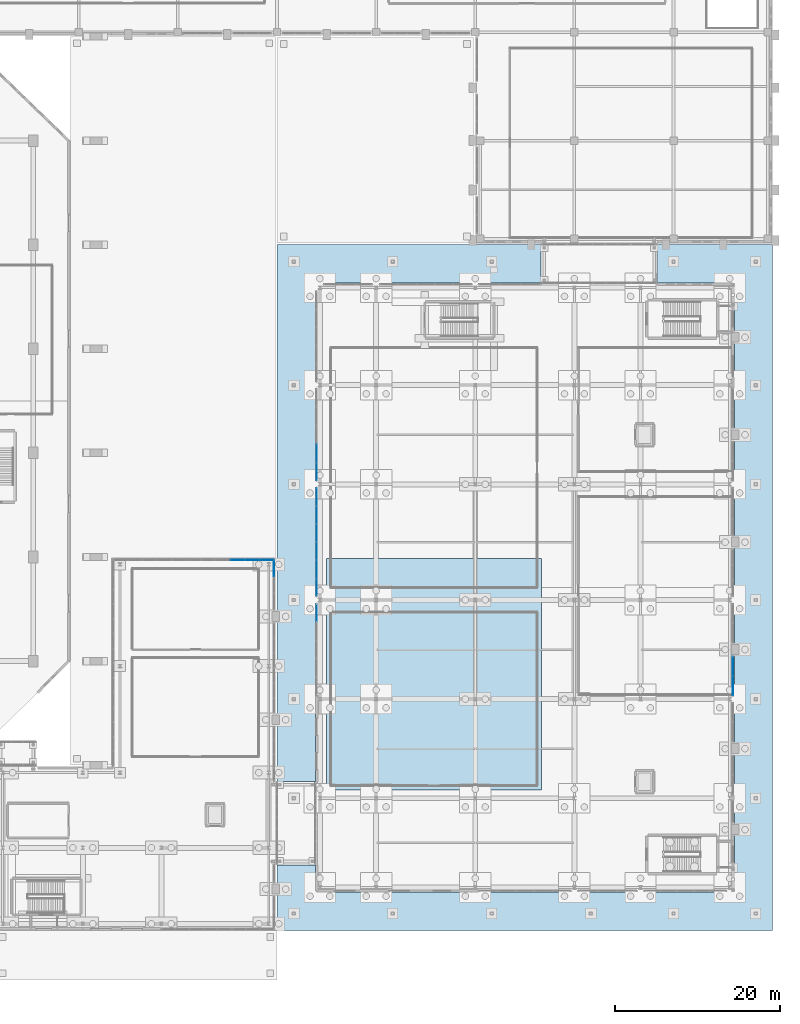
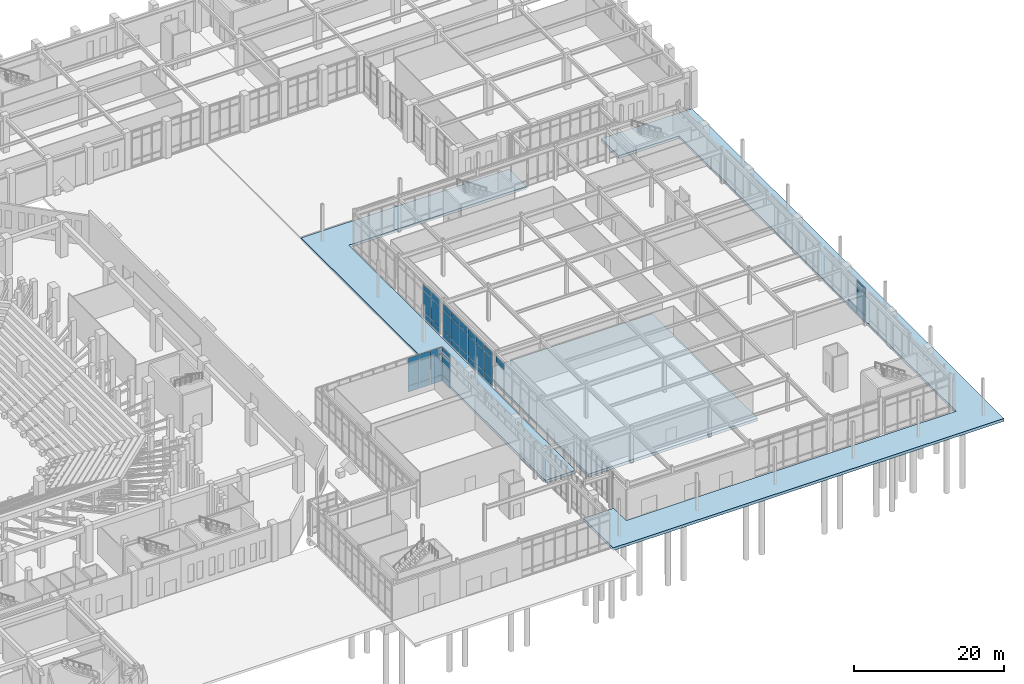
# One storey, part 91 of 143: 41 plates, 3 slabs, 6 elements without a shape of their own.
"""IFC4 building model written with IfcOpenShell, lengths in metres."""

from ifc_helpers import new_model, si_unit, derived_unit, direction, frame, origin, origin_2d, place, context, subcontext, project, spatial, polyline, rectangle, outline, extrude, material, layer, layer_set, type_object, element, aggregate, save


model = new_model("IFC4")

# Units and contexts
model_context = context("Model", 3, precision=1e-05, world=origin(), true_north=direction((0.0, 1.0)))
body_context = subcontext(model_context, "Body", "Model", "MODEL_VIEW")
ifc_project = project(units=[si_unit("LENGTHUNIT", "METRE"), si_unit("AREAUNIT", "SQUARE_METRE"), si_unit("VOLUMEUNIT", "CUBIC_METRE"), si_unit("PLANEANGLEUNIT", "RADIAN"), si_unit("MASSUNIT", "GRAM", prefix="KILO"), derived_unit("THERMALTRANSMITTANCEUNIT", [(si_unit("MASSUNIT", "GRAM", prefix="KILO"), 1), (si_unit("TIMEUNIT", "SECOND"), -3), (si_unit("THERMODYNAMICTEMPERATUREUNIT", "KELVIN"), -1)])], contexts=[model_context])

# Site, building, storey
site_placement = place(None, origin())
site = spatial("IfcSite", under=ifc_project, at=site_placement, CompositionType="ELEMENT")
building_placement = place(site_placement, origin())
building = spatial("IfcBuilding", under=site, at=building_placement, Name="Valcora Ridge Arena", CompositionType="ELEMENT")
storey_placement = place(building_placement, origin())
storey = spatial("IfcBuildingStorey", under=building, at=storey_placement, Name="L00", CompositionType="ELEMENT", Elevation=0.0)

# Curtain wall, plates
ifc_material_1 = material(Name="Anodised dark bronze architectural aluminium 6063-T6", Category="aluminium")
ifc_layer_1 = layer(ifc_material_1, 0.179931640625, Name="Anodised dark bronze architectural aluminium 6063-T6")
ifc_layer_set_1 = layer_set([ifc_layer_1], Name="Anodised dark bronze architectural aluminium 6063-T6")
curtain_wall_type_1 = type_object("IfcCurtainWallType", Name="TY-CURTAINWALL-CW-V3-LANCET-194X56", PredefinedType="NOTDEFINED", material=ifc_layer_set_1)
curtain_wall_1_placement = place(storey_placement, origin())
curtain_wall_1 = element("IfcCurtainWall", 1, at=curtain_wall_1_placement, inside=storey, type_object=curtain_wall_type_1, Name="CW-V3-LANCET-194X56 CW-0007", PredefinedType="NOTDEFINED")
ifc_material_2 = material(Name="Low-iron solar-control double glazing SHGC 0.28", Category="glass")
ifc_layer_2 = layer(ifc_material_2, 0.031982421875, Name="Low-iron solar-control double glazing SHGC 0.28")
ifc_layer_set_2 = layer_set([ifc_layer_2], Name="Low-iron solar-control double glazing SHGC 0.28")
plate_type_1 = type_object("IfcPlateType", Name="TY-PLT-CWP-1678X0960", PredefinedType="CURTAIN_PANEL", material=ifc_layer_set_2)
plate_1_placement = place(storey_placement, frame((130.7509765625, 44.85009765625, 0.06005859375), z_axis=(0.0, 0.0, 1.0), x_axis=(1.0, 0.0, 0.0)))
plate_1 = element("IfcPlate", 2, at=plate_1_placement, type_object=plate_type_1, Name="CW-0007/P10-00", PredefinedType="CURTAIN_PANEL", context=body_context, shape_type="SweptSolid", body=[
    extrude(rectangle(XDim=1.677978515625, YDim=0.031982421875, at=origin_2d()), origin(), (0.0, 0.0, 1.0), 0.9599609375),
])
ifc_layer_3 = layer(ifc_material_2, 0.031982421875, Name="Low-iron solar-control double glazing SHGC 0.28")
ifc_layer_set_3 = layer_set([ifc_layer_3], Name="Low-iron solar-control double glazing SHGC 0.28")
plate_type_2 = type_object("IfcPlateType", Name="TY-PLT-CWP-1678X1010", PredefinedType="CURTAIN_PANEL", material=ifc_layer_set_3)
plate_2_placement = place(storey_placement, frame((130.7509765625, 44.85009765625, 4.56982421875), z_axis=(0.0, 0.0, 1.0), x_axis=(1.0, 0.0, 0.0)))
plate_2 = element("IfcPlate", 3, at=plate_2_placement, type_object=plate_type_2, Name="CW-0007/P10-02", PredefinedType="CURTAIN_PANEL", context=body_context, shape_type="SweptSolid", body=[
    extrude(rectangle(XDim=1.677978515625, YDim=0.031982421875, at=origin_2d()), origin(), (0.0, 0.0, 1.0), 1.010009765625),
])
ifc_layer_4 = layer(ifc_material_2, 0.031982421875, Name="Low-iron solar-control double glazing SHGC 0.28")
ifc_layer_set_4 = layer_set([ifc_layer_4], Name="Low-iron solar-control double glazing SHGC 0.28")
plate_type_3 = type_object("IfcPlateType", Name="TY-PLT-CWP-1678X3430", PredefinedType="CURTAIN_PANEL", material=ifc_layer_set_4)
plate_3_placement = place(storey_placement, frame((130.7509765625, 44.85009765625, 1.080078125), z_axis=(0.0, 0.0, 1.0), x_axis=(1.0, 0.0, 0.0)))
plate_3 = element("IfcPlate", 4, at=plate_3_placement, type_object=plate_type_3, Name="CW-0007/P10-01", PredefinedType="CURTAIN_PANEL", context=body_context, shape_type="SweptSolid", body=[
    extrude(rectangle(XDim=1.677978515625, YDim=0.031982421875, at=origin_2d()), origin(), (0.0, 0.0, 1.0), 3.429931640625),
])
ifc_layer_5 = layer(ifc_material_2, 0.031982421875, Name="Low-iron solar-control double glazing SHGC 0.28")
ifc_layer_set_5 = layer_set([ifc_layer_5], Name="Low-iron solar-control double glazing SHGC 0.28")
plate_type_4 = type_object("IfcPlateType", Name="TY-PLT-CWP-1708X0960", PredefinedType="CURTAIN_PANEL", material=ifc_layer_set_5)
plate_4_placement = place(storey_placement, frame((128.998046875, 44.85009765625, 0.06005859375), z_axis=(0.0, 0.0, 1.0), x_axis=(1.0, 0.0, 0.0)))
plate_4 = element("IfcPlate", 5, at=plate_4_placement, type_object=plate_type_4, Name="CW-0007/P09-00", PredefinedType="CURTAIN_PANEL", context=body_context, shape_type="SweptSolid", body=[
    extrude(rectangle(XDim=1.7080078125, YDim=0.031982421875, at=origin_2d()), origin(), (0.0, 0.0, 1.0), 0.9599609375),
])
ifc_layer_6 = layer(ifc_material_2, 0.031982421875, Name="Low-iron solar-control double glazing SHGC 0.28")
ifc_layer_set_6 = layer_set([ifc_layer_6], Name="Low-iron solar-control double glazing SHGC 0.28")
plate_type_5 = type_object("IfcPlateType", Name="TY-PLT-CWP-1708X1010", PredefinedType="CURTAIN_PANEL", material=ifc_layer_set_6)
plate_5_placement = place(storey_placement, frame((128.998046875, 44.85009765625, 4.56982421875), z_axis=(0.0, 0.0, 1.0), x_axis=(1.0, 0.0, 0.0)))
plate_5 = element("IfcPlate", 6, at=plate_5_placement, type_object=plate_type_5, Name="CW-0007/P09-02", PredefinedType="CURTAIN_PANEL", context=body_context, shape_type="SweptSolid", body=[
    extrude(rectangle(XDim=1.7080078125, YDim=0.031982421875, at=origin_2d()), origin(), (0.0, 0.0, 1.0), 1.010009765625),
])
ifc_layer_7 = layer(ifc_material_2, 0.031982421875, Name="Low-iron solar-control double glazing SHGC 0.28")
ifc_layer_set_7 = layer_set([ifc_layer_7], Name="Low-iron solar-control double glazing SHGC 0.28")
plate_type_6 = type_object("IfcPlateType", Name="TY-PLT-CWP-1708X3430", PredefinedType="CURTAIN_PANEL", material=ifc_layer_set_7)
plate_6_placement = place(storey_placement, frame((128.998046875, 44.85009765625, 1.080078125), z_axis=(0.0, 0.0, 1.0), x_axis=(1.0, 0.0, 0.0)))
plate_6 = element("IfcPlate", 7, at=plate_6_placement, type_object=plate_type_6, Name="CW-0007/P09-01", PredefinedType="CURTAIN_PANEL", context=body_context, shape_type="SweptSolid", body=[
    extrude(rectangle(XDim=1.7080078125, YDim=0.031982421875, at=origin_2d()), origin(), (0.0, 0.0, 1.0), 3.429931640625),
])
ifc_layer_8 = layer(ifc_material_2, 0.031982421875, Name="Low-iron solar-control double glazing SHGC 0.28")
ifc_layer_set_8 = layer_set([ifc_layer_8], Name="Low-iron solar-control double glazing SHGC 0.28")
plate_type_7 = type_object("IfcPlateType", Name="TY-PLT-CWP-1709X0960", PredefinedType="CURTAIN_PANEL", material=ifc_layer_set_8)
plate_7_placement = place(storey_placement, frame((127.2294921875, 44.85009765625, 0.06005859375), z_axis=(0.0, 0.0, 1.0), x_axis=(1.0, 0.0, 0.0)))
plate_7 = element("IfcPlate", 8, at=plate_7_placement, type_object=plate_type_7, Name="CW-0007/P08-00", PredefinedType="CURTAIN_PANEL", context=body_context, shape_type="SweptSolid", body=[
    extrude(rectangle(XDim=1.708984375, YDim=0.031982421875, at=origin_2d()), origin(), (0.0, 0.0, 1.0), 0.9599609375),
])
ifc_layer_9 = layer(ifc_material_2, 0.031982421875, Name="Low-iron solar-control double glazing SHGC 0.28")
ifc_layer_set_9 = layer_set([ifc_layer_9], Name="Low-iron solar-control double glazing SHGC 0.28")
plate_type_8 = type_object("IfcPlateType", Name="TY-PLT-CWP-1709X1010", PredefinedType="CURTAIN_PANEL", material=ifc_layer_set_9)
plate_8_placement = place(storey_placement, frame((127.2294921875, 44.85009765625, 4.56982421875), z_axis=(0.0, 0.0, 1.0), x_axis=(1.0, 0.0, 0.0)))
plate_8 = element("IfcPlate", 9, at=plate_8_placement, type_object=plate_type_8, Name="CW-0007/P08-02", PredefinedType="CURTAIN_PANEL", context=body_context, shape_type="SweptSolid", body=[
    extrude(rectangle(XDim=1.708984375, YDim=0.031982421875, at=origin_2d()), origin(), (0.0, 0.0, 1.0), 1.010009765625),
])
ifc_layer_10 = layer(ifc_material_2, 0.031982421875, Name="Low-iron solar-control double glazing SHGC 0.28")
ifc_layer_set_10 = layer_set([ifc_layer_10], Name="Low-iron solar-control double glazing SHGC 0.28")
plate_type_9 = type_object("IfcPlateType", Name="TY-PLT-CWP-1709X3430", PredefinedType="CURTAIN_PANEL", material=ifc_layer_set_10)
plate_9_placement = place(storey_placement, frame((127.2294921875, 44.85009765625, 1.080078125), z_axis=(0.0, 0.0, 1.0), x_axis=(1.0, 0.0, 0.0)))
plate_9 = element("IfcPlate", 10, at=plate_9_placement, type_object=plate_type_9, Name="CW-0007/P08-01", PredefinedType="CURTAIN_PANEL", context=body_context, shape_type="SweptSolid", body=[
    extrude(rectangle(XDim=1.708984375, YDim=0.031982421875, at=origin_2d()), origin(), (0.0, 0.0, 1.0), 3.429931640625),
])
aggregate(curtain_wall_1, [plate_7, plate_9, plate_8, plate_4, plate_6, plate_5, plate_1, plate_3, plate_2])

ifc_layer_11 = layer(ifc_material_1, 0.179931640625, Name="Anodised dark bronze architectural aluminium 6063-T6")
ifc_layer_set_11 = layer_set([ifc_layer_11], Name="Anodised dark bronze architectural aluminium 6063-T6")
curtain_wall_type_2 = type_object("IfcCurtainWallType", Name="TY-CURTAINWALL-CW-V3-LANCET-060X56", PredefinedType="NOTDEFINED", material=ifc_layer_set_11)
curtain_wall_2_placement = place(storey_placement, origin())
curtain_wall_2 = element("IfcCurtainWall", 11, at=curtain_wall_2_placement, inside=storey, type_object=curtain_wall_type_2, Name="CW-V3-LANCET-060X56 CW-0006", PredefinedType="NOTDEFINED")
ifc_layer_12 = layer(ifc_material_2, 0.031982421875, Name="Low-iron solar-control double glazing SHGC 0.28")
ifc_layer_set_12 = layer_set([ifc_layer_12], Name="Low-iron solar-control double glazing SHGC 0.28")
plate_type_10 = type_object("IfcPlateType", Name="TY-PLT-CWP-1913X0960", PredefinedType="CURTAIN_PANEL", material=ifc_layer_set_12)
plate_10_placement = place(storey_placement, frame((131.64990234375, 43.83349609375, 0.06005859375), z_axis=(0.0, 0.0, 1.0), x_axis=(0.0, 1.0, 0.0)))
plate_10 = element("IfcPlate", 12, at=plate_10_placement, type_object=plate_type_10, Name="CW-0006/P02-00", PredefinedType="CURTAIN_PANEL", context=body_context, shape_type="SweptSolid", body=[
    extrude(rectangle(XDim=1.9130859375, YDim=0.031982421875, at=origin_2d()), origin(), (0.0, 0.0, 1.0), 0.9599609375),
])
ifc_layer_13 = layer(ifc_material_2, 0.031982421875, Name="Low-iron solar-control double glazing SHGC 0.28")
ifc_layer_set_13 = layer_set([ifc_layer_13], Name="Low-iron solar-control double glazing SHGC 0.28")
plate_type_11 = type_object("IfcPlateType", Name="TY-PLT-CWP-1913X1010", PredefinedType="CURTAIN_PANEL", material=ifc_layer_set_13)
plate_11_placement = place(storey_placement, frame((131.64990234375, 43.83349609375, 4.56982421875), z_axis=(0.0, 0.0, 1.0), x_axis=(0.0, 1.0, 0.0)))
plate_11 = element("IfcPlate", 13, at=plate_11_placement, type_object=plate_type_11, Name="CW-0006/P02-02", PredefinedType="CURTAIN_PANEL", context=body_context, shape_type="SweptSolid", body=[
    extrude(rectangle(XDim=1.9130859375, YDim=0.031982421875, at=origin_2d()), origin(), (0.0, 0.0, 1.0), 1.010009765625),
])
ifc_layer_14 = layer(ifc_material_2, 0.031982421875, Name="Low-iron solar-control double glazing SHGC 0.28")
ifc_layer_set_14 = layer_set([ifc_layer_14], Name="Low-iron solar-control double glazing SHGC 0.28")
plate_type_12 = type_object("IfcPlateType", Name="TY-PLT-CWP-1913X3430", PredefinedType="CURTAIN_PANEL", material=ifc_layer_set_14)
plate_12_placement = place(storey_placement, frame((131.64990234375, 43.83349609375, 1.080078125), z_axis=(0.0, 0.0, 1.0), x_axis=(0.0, 1.0, 0.0)))
plate_12 = element("IfcPlate", 14, at=plate_12_placement, type_object=plate_type_12, Name="CW-0006/P02-01", PredefinedType="CURTAIN_PANEL", context=body_context, shape_type="SweptSolid", body=[
    extrude(rectangle(XDim=1.9130859375, YDim=0.031982421875, at=origin_2d()), origin(), (0.0, 0.0, 1.0), 3.429931640625),
])
aggregate(curtain_wall_2, [plate_10, plate_12, plate_11])

ifc_layer_15 = layer(ifc_material_1, 0.179931640625, Name="Anodised dark bronze architectural aluminium 6063-T6")
ifc_layer_set_15 = layer_set([ifc_layer_15], Name="Anodised dark bronze architectural aluminium 6063-T6")
curtain_wall_type_3 = type_object("IfcCurtainWallType", Name="TY-CURTAINWALL-CW-V2-GLAZ-131X56", PredefinedType="NOTDEFINED", material=ifc_layer_set_15)
curtain_wall_3_placement = place(storey_placement, origin())
curtain_wall_3 = element("IfcCurtainWall", 15, at=curtain_wall_3_placement, inside=storey, type_object=curtain_wall_type_3, Name="CW-V2-GLAZ-131X56 CW-0022", PredefinedType="NOTDEFINED")
ifc_layer_16 = layer(ifc_material_2, 0.028076171875, Name="Low-iron solar-control double glazing SHGC 0.28")
ifc_layer_set_16 = layer_set([ifc_layer_16], Name="Low-iron solar-control double glazing SHGC 0.28")
plate_type_13 = type_object("IfcPlateType", Name="TY-PLT-CWP-2099X0975", PredefinedType="CURTAIN_PANEL", material=ifc_layer_set_16)
plate_13_placement = place(storey_placement, frame((136.800048828125, 41.54248046875, 0.050048828125), z_axis=(0.0, 0.0, 1.0), x_axis=(0.0, 1.0, 0.0)))
plate_13 = element("IfcPlate", 16, at=plate_13_placement, type_object=plate_type_13, Name="CW-0022/P00-00", PredefinedType="CURTAIN_PANEL", context=body_context, shape_type="SweptSolid", body=[
    extrude(rectangle(XDim=2.09912109375, YDim=0.028076171875, at=origin_2d()), origin(), (0.0, 0.0, 1.0), 0.97509765625),
])
plate_14_placement = place(storey_placement, frame((136.800048828125, 52.45751953125, 0.050048828125), z_axis=(0.0, 0.0, 1.0), x_axis=(0.0, 1.0, 0.0)))
plate_14 = element("IfcPlate", 17, at=plate_14_placement, type_object=plate_type_13, Name="CW-0022/P05-00", PredefinedType="CURTAIN_PANEL", context=body_context, shape_type="SweptSolid", body=[
    extrude(rectangle(XDim=2.09912109375, YDim=0.028076171875, at=origin_2d()), origin(), (0.0, 0.0, 1.0), 0.97509765625),
])
ifc_layer_17 = layer(ifc_material_2, 0.028076171875, Name="Low-iron solar-control double glazing SHGC 0.28")
ifc_layer_set_17 = layer_set([ifc_layer_17], Name="Low-iron solar-control double glazing SHGC 0.28")
plate_type_14 = type_object("IfcPlateType", Name="TY-PLT-CWP-2099X1025", PredefinedType="CURTAIN_PANEL", material=ifc_layer_set_17)
plate_15_placement = place(storey_placement, frame((136.800048828125, 41.54248046875, 4.545166015625), z_axis=(0.0, 0.0, 1.0), x_axis=(0.0, 1.0, 0.0)))
plate_15 = element("IfcPlate", 18, at=plate_15_placement, type_object=plate_type_14, Name="CW-0022/P00-02", PredefinedType="CURTAIN_PANEL", context=body_context, shape_type="SweptSolid", body=[
    extrude(rectangle(XDim=2.09912109375, YDim=0.028076171875, at=origin_2d()), origin(), (0.0, 0.0, 1.0), 1.02490234375),
])
plate_16_placement = place(storey_placement, frame((136.800048828125, 52.45751953125, 4.545166015625), z_axis=(0.0, 0.0, 1.0), x_axis=(0.0, 1.0, 0.0)))
plate_16 = element("IfcPlate", 19, at=plate_16_placement, type_object=plate_type_14, Name="CW-0022/P05-02", PredefinedType="CURTAIN_PANEL", context=body_context, shape_type="SweptSolid", body=[
    extrude(rectangle(XDim=2.09912109375, YDim=0.028076171875, at=origin_2d()), origin(), (0.0, 0.0, 1.0), 1.02490234375),
])
ifc_layer_18 = layer(ifc_material_2, 0.028076171875, Name="Low-iron solar-control double glazing SHGC 0.28")
ifc_layer_set_18 = layer_set([ifc_layer_18], Name="Low-iron solar-control double glazing SHGC 0.28")
plate_type_15 = type_object("IfcPlateType", Name="TY-PLT-CWP-2099X3420", PredefinedType="CURTAIN_PANEL", material=ifc_layer_set_18)
plate_17_placement = place(storey_placement, frame((136.800048828125, 41.54248046875, 1.074951171875), z_axis=(0.0, 0.0, 1.0), x_axis=(0.0, 1.0, 0.0)))
plate_17 = element("IfcPlate", 20, at=plate_17_placement, type_object=plate_type_15, Name="CW-0022/P00-01", PredefinedType="CURTAIN_PANEL", context=body_context, shape_type="SweptSolid", body=[
    extrude(rectangle(XDim=2.09912109375, YDim=0.028076171875, at=origin_2d()), origin(), (0.0, 0.0, 1.0), 3.419921875),
])
plate_18_placement = place(storey_placement, frame((136.800048828125, 52.45751953125, 1.074951171875), z_axis=(0.0, 0.0, 1.0), x_axis=(0.0, 1.0, 0.0)))
plate_18 = element("IfcPlate", 21, at=plate_18_placement, type_object=plate_type_15, Name="CW-0022/P05-01", PredefinedType="CURTAIN_PANEL", context=body_context, shape_type="SweptSolid", body=[
    extrude(rectangle(XDim=2.09912109375, YDim=0.028076171875, at=origin_2d()), origin(), (0.0, 0.0, 1.0), 3.419921875),
])
ifc_layer_19 = layer(ifc_material_2, 0.028076171875, Name="Low-iron solar-control double glazing SHGC 0.28")
ifc_layer_set_19 = layer_set([ifc_layer_19], Name="Low-iron solar-control double glazing SHGC 0.28")
plate_type_16 = type_object("IfcPlateType", Name="TY-PLT-CWP-2129X0975", PredefinedType="CURTAIN_PANEL", material=ifc_layer_set_19)
plate_19_placement = place(storey_placement, frame((136.800048828125, 43.716552734375, 0.050048828125), z_axis=(0.0, 0.0, 1.0), x_axis=(0.0, 1.0, 0.0)))
plate_19 = element("IfcPlate", 22, at=plate_19_placement, type_object=plate_type_16, Name="CW-0022/P01-00", PredefinedType="CURTAIN_PANEL", context=body_context, shape_type="SweptSolid", body=[
    extrude(rectangle(XDim=2.12890625, YDim=0.028076171875, at=origin_2d()), origin(), (0.0, 0.0, 1.0), 0.97509765625),
])
plate_20_placement = place(storey_placement, frame((136.800048828125, 45.905517578125, 0.050048828125), z_axis=(0.0, 0.0, 1.0), x_axis=(0.0, 1.0, 0.0)))
plate_20 = element("IfcPlate", 23, at=plate_20_placement, type_object=plate_type_16, Name="CW-0022/P02-00", PredefinedType="CURTAIN_PANEL", context=body_context, shape_type="SweptSolid", body=[
    extrude(rectangle(XDim=2.12890625, YDim=0.028076171875, at=origin_2d()), origin(), (0.0, 0.0, 1.0), 0.97509765625),
])
plate_21_placement = place(storey_placement, frame((136.800048828125, 48.094482421875, 0.050048828125), z_axis=(0.0, 0.0, 1.0), x_axis=(0.0, 1.0, 0.0)))
plate_21 = element("IfcPlate", 24, at=plate_21_placement, type_object=plate_type_16, Name="CW-0022/P03-00", PredefinedType="CURTAIN_PANEL", context=body_context, shape_type="SweptSolid", body=[
    extrude(rectangle(XDim=2.12890625, YDim=0.028076171875, at=origin_2d()), origin(), (0.0, 0.0, 1.0), 0.97509765625),
])
plate_22_placement = place(storey_placement, frame((136.800048828125, 50.283447265625, 0.050048828125), z_axis=(0.0, 0.0, 1.0), x_axis=(0.0, 1.0, 0.0)))
plate_22 = element("IfcPlate", 25, at=plate_22_placement, type_object=plate_type_16, Name="CW-0022/P04-00", PredefinedType="CURTAIN_PANEL", context=body_context, shape_type="SweptSolid", body=[
    extrude(rectangle(XDim=2.12890625, YDim=0.028076171875, at=origin_2d()), origin(), (0.0, 0.0, 1.0), 0.97509765625),
])
ifc_layer_20 = layer(ifc_material_2, 0.028076171875, Name="Low-iron solar-control double glazing SHGC 0.28")
ifc_layer_set_20 = layer_set([ifc_layer_20], Name="Low-iron solar-control double glazing SHGC 0.28")
plate_type_17 = type_object("IfcPlateType", Name="TY-PLT-CWP-2129X1025", PredefinedType="CURTAIN_PANEL", material=ifc_layer_set_20)
plate_23_placement = place(storey_placement, frame((136.800048828125, 43.716552734375, 4.545166015625), z_axis=(0.0, 0.0, 1.0), x_axis=(0.0, 1.0, 0.0)))
plate_23 = element("IfcPlate", 26, at=plate_23_placement, type_object=plate_type_17, Name="CW-0022/P01-02", PredefinedType="CURTAIN_PANEL", context=body_context, shape_type="SweptSolid", body=[
    extrude(rectangle(XDim=2.12890625, YDim=0.028076171875, at=origin_2d()), origin(), (0.0, 0.0, 1.0), 1.02490234375),
])
plate_24_placement = place(storey_placement, frame((136.800048828125, 45.905517578125, 4.545166015625), z_axis=(0.0, 0.0, 1.0), x_axis=(0.0, 1.0, 0.0)))
plate_24 = element("IfcPlate", 27, at=plate_24_placement, type_object=plate_type_17, Name="CW-0022/P02-02", PredefinedType="CURTAIN_PANEL", context=body_context, shape_type="SweptSolid", body=[
    extrude(rectangle(XDim=2.12890625, YDim=0.028076171875, at=origin_2d()), origin(), (0.0, 0.0, 1.0), 1.02490234375),
])
plate_25_placement = place(storey_placement, frame((136.800048828125, 48.094482421875, 4.545166015625), z_axis=(0.0, 0.0, 1.0), x_axis=(0.0, 1.0, 0.0)))
plate_25 = element("IfcPlate", 28, at=plate_25_placement, type_object=plate_type_17, Name="CW-0022/P03-02", PredefinedType="CURTAIN_PANEL", context=body_context, shape_type="SweptSolid", body=[
    extrude(rectangle(XDim=2.12890625, YDim=0.028076171875, at=origin_2d()), origin(), (0.0, 0.0, 1.0), 1.02490234375),
])
plate_26_placement = place(storey_placement, frame((136.800048828125, 50.283447265625, 4.545166015625), z_axis=(0.0, 0.0, 1.0), x_axis=(0.0, 1.0, 0.0)))
plate_26 = element("IfcPlate", 29, at=plate_26_placement, type_object=plate_type_17, Name="CW-0022/P04-02", PredefinedType="CURTAIN_PANEL", context=body_context, shape_type="SweptSolid", body=[
    extrude(rectangle(XDim=2.12890625, YDim=0.028076171875, at=origin_2d()), origin(), (0.0, 0.0, 1.0), 1.02490234375),
])
ifc_layer_21 = layer(ifc_material_2, 0.028076171875, Name="Low-iron solar-control double glazing SHGC 0.28")
ifc_layer_set_21 = layer_set([ifc_layer_21], Name="Low-iron solar-control double glazing SHGC 0.28")
plate_type_18 = type_object("IfcPlateType", Name="TY-PLT-CWP-2129X3420", PredefinedType="CURTAIN_PANEL", material=ifc_layer_set_21)
plate_27_placement = place(storey_placement, frame((136.800048828125, 43.716552734375, 1.074951171875), z_axis=(0.0, 0.0, 1.0), x_axis=(0.0, 1.0, 0.0)))
plate_27 = element("IfcPlate", 30, at=plate_27_placement, type_object=plate_type_18, Name="CW-0022/P01-01", PredefinedType="CURTAIN_PANEL", context=body_context, shape_type="SweptSolid", body=[
    extrude(rectangle(XDim=2.12890625, YDim=0.028076171875, at=origin_2d()), origin(), (0.0, 0.0, 1.0), 3.419921875),
])
plate_28_placement = place(storey_placement, frame((136.800048828125, 45.905517578125, 1.074951171875), z_axis=(0.0, 0.0, 1.0), x_axis=(0.0, 1.0, 0.0)))
plate_28 = element("IfcPlate", 31, at=plate_28_placement, type_object=plate_type_18, Name="CW-0022/P02-01", PredefinedType="CURTAIN_PANEL", context=body_context, shape_type="SweptSolid", body=[
    extrude(rectangle(XDim=2.12890625, YDim=0.028076171875, at=origin_2d()), origin(), (0.0, 0.0, 1.0), 3.419921875),
])
plate_29_placement = place(storey_placement, frame((136.800048828125, 48.094482421875, 1.074951171875), z_axis=(0.0, 0.0, 1.0), x_axis=(0.0, 1.0, 0.0)))
plate_29 = element("IfcPlate", 32, at=plate_29_placement, type_object=plate_type_18, Name="CW-0022/P03-01", PredefinedType="CURTAIN_PANEL", context=body_context, shape_type="SweptSolid", body=[
    extrude(rectangle(XDim=2.12890625, YDim=0.028076171875, at=origin_2d()), origin(), (0.0, 0.0, 1.0), 3.419921875),
])
plate_30_placement = place(storey_placement, frame((136.800048828125, 50.283447265625, 1.074951171875), z_axis=(0.0, 0.0, 1.0), x_axis=(0.0, 1.0, 0.0)))
plate_30 = element("IfcPlate", 33, at=plate_30_placement, type_object=plate_type_18, Name="CW-0022/P04-01", PredefinedType="CURTAIN_PANEL", context=body_context, shape_type="SweptSolid", body=[
    extrude(rectangle(XDim=2.12890625, YDim=0.028076171875, at=origin_2d()), origin(), (0.0, 0.0, 1.0), 3.419921875),
])
aggregate(curtain_wall_3, [plate_13, plate_17, plate_15, plate_19, plate_27, plate_23, plate_20, plate_28, plate_24, plate_21, plate_29, plate_25, plate_22, plate_30, plate_26, plate_14, plate_18, plate_16])

# Curtain wall, plate
ifc_layer_22 = layer(ifc_material_1, 0.179931640625, Name="Anodised dark bronze architectural aluminium 6063-T6")
ifc_layer_set_22 = layer_set([ifc_layer_22], Name="Anodised dark bronze architectural aluminium 6063-T6")
curtain_wall_type_4 = type_object("IfcCurtainWallType", Name="TY-CURTAINWALL-CW-V2-GLAZ-111X56", PredefinedType="NOTDEFINED", material=ifc_layer_set_22)
curtain_wall_4_placement = place(storey_placement, origin())
curtain_wall_4 = element("IfcCurtainWall", 34, at=curtain_wall_4_placement, inside=storey, type_object=curtain_wall_type_4, Name="CW-V2-GLAZ-111X56 CW-0023", PredefinedType="NOTDEFINED")
ifc_layer_23 = layer(ifc_material_2, 0.028076171875, Name="Low-iron solar-control double glazing SHGC 0.28")
ifc_layer_set_23 = layer_set([ifc_layer_23], Name="Low-iron solar-control double glazing SHGC 0.28")
plate_type_19 = type_object("IfcPlateType", Name="TY-PLT-CWP-2137X0975", PredefinedType="CURTAIN_PANEL", material=ifc_layer_set_23)
plate_31_placement = place(storey_placement, frame((136.800048828125, 55.5615234375, 0.050048828125), z_axis=(0.0, 0.0, 1.0), x_axis=(0.0, 1.0, 0.0)))
plate_31 = element("IfcPlate", 35, at=plate_31_placement, type_object=plate_type_19, Name="CW-0023/P00-00", PredefinedType="CURTAIN_PANEL", context=body_context, shape_type="SweptSolid", body=[
    extrude(rectangle(XDim=2.136962890625, YDim=0.028076171875, at=origin_2d()), origin(), (0.0, 0.0, 1.0), 0.97509765625),
])

curtain_wall_5_placement = place(storey_placement, origin())
curtain_wall_5 = element("IfcCurtainWall", 36, at=curtain_wall_5_placement, inside=storey, type_object=curtain_wall_type_4, Name="CW-V2-GLAZ-111X56 CW-0021", PredefinedType="NOTDEFINED")
ifc_layer_24 = layer(ifc_material_2, 0.028076171875, Name="Low-iron solar-control double glazing SHGC 0.28")
ifc_layer_set_24 = layer_set([ifc_layer_24], Name="Low-iron solar-control double glazing SHGC 0.28")
plate_type_20 = type_object("IfcPlateType", Name="TY-PLT-CWP-2137X1025", PredefinedType="CURTAIN_PANEL", material=ifc_layer_set_24)
plate_32_placement = place(storey_placement, frame((136.800048828125, 38.4384765625, 4.545166015625), z_axis=(0.0, 0.0, 1.0), x_axis=(0.0, 1.0, 0.0)))
plate_32 = element("IfcPlate", 37, at=plate_32_placement, type_object=plate_type_20, Name="CW-0021/P04-02", PredefinedType="CURTAIN_PANEL", context=body_context, shape_type="SweptSolid", body=[
    extrude(rectangle(XDim=2.136962890625, YDim=0.028076171875, at=origin_2d()), origin(), (0.0, 0.0, 1.0), 1.02490234375),
])
aggregate(curtain_wall_5, [plate_32])

# Plate
plate_33_placement = place(storey_placement, frame((136.800048828125, 55.5615234375, 4.545166015625), z_axis=(0.0, 0.0, 1.0), x_axis=(0.0, 1.0, 0.0)))
plate_33 = element("IfcPlate", 38, at=plate_33_placement, type_object=plate_type_20, Name="CW-0023/P00-02", PredefinedType="CURTAIN_PANEL", context=body_context, shape_type="SweptSolid", body=[
    extrude(rectangle(XDim=2.136962890625, YDim=0.028076171875, at=origin_2d()), origin(), (0.0, 0.0, 1.0), 1.02490234375),
])

ifc_layer_25 = layer(ifc_material_2, 0.028076171875, Name="Low-iron solar-control double glazing SHGC 0.28")
ifc_layer_set_25 = layer_set([ifc_layer_25], Name="Low-iron solar-control double glazing SHGC 0.28")
plate_type_21 = type_object("IfcPlateType", Name="TY-PLT-CWP-2137X3420", PredefinedType="CURTAIN_PANEL", material=ifc_layer_set_25)
plate_34_placement = place(storey_placement, frame((136.800048828125, 55.5615234375, 1.074951171875), z_axis=(0.0, 0.0, 1.0), x_axis=(0.0, 1.0, 0.0)))
plate_34 = element("IfcPlate", 39, at=plate_34_placement, type_object=plate_type_21, Name="CW-0023/P00-01", PredefinedType="CURTAIN_PANEL", context=body_context, shape_type="SweptSolid", body=[
    extrude(rectangle(XDim=2.136962890625, YDim=0.028076171875, at=origin_2d()), origin(), (0.0, 0.0, 1.0), 3.419921875),
])

ifc_layer_26 = layer(ifc_material_2, 0.028076171875, Name="Low-iron solar-control double glazing SHGC 0.28")
ifc_layer_set_26 = layer_set([ifc_layer_26], Name="Low-iron solar-control double glazing SHGC 0.28")
plate_type_22 = type_object("IfcPlateType", Name="TY-PLT-CWP-2167X0975", PredefinedType="CURTAIN_PANEL", material=ifc_layer_set_26)
plate_35_placement = place(storey_placement, frame((136.800048828125, 57.7734375, 0.050048828125), z_axis=(0.0, 0.0, 1.0), x_axis=(0.0, 1.0, 0.0)))
plate_35 = element("IfcPlate", 40, at=plate_35_placement, type_object=plate_type_22, Name="CW-0023/P01-00", PredefinedType="CURTAIN_PANEL", context=body_context, shape_type="SweptSolid", body=[
    extrude(rectangle(XDim=2.1669921875, YDim=0.028076171875, at=origin_2d()), origin(), (0.0, 0.0, 1.0), 0.97509765625),
])

ifc_layer_27 = layer(ifc_material_2, 0.028076171875, Name="Low-iron solar-control double glazing SHGC 0.28")
ifc_layer_set_27 = layer_set([ifc_layer_27], Name="Low-iron solar-control double glazing SHGC 0.28")
plate_type_23 = type_object("IfcPlateType", Name="TY-PLT-CWP-2167X1025", PredefinedType="CURTAIN_PANEL", material=ifc_layer_set_27)
plate_36_placement = place(storey_placement, frame((136.800048828125, 57.7734375, 4.545166015625), z_axis=(0.0, 0.0, 1.0), x_axis=(0.0, 1.0, 0.0)))
plate_36 = element("IfcPlate", 41, at=plate_36_placement, type_object=plate_type_23, Name="CW-0023/P01-02", PredefinedType="CURTAIN_PANEL", context=body_context, shape_type="SweptSolid", body=[
    extrude(rectangle(XDim=2.1669921875, YDim=0.028076171875, at=origin_2d()), origin(), (0.0, 0.0, 1.0), 1.02490234375),
])

ifc_layer_28 = layer(ifc_material_2, 0.028076171875, Name="Low-iron solar-control double glazing SHGC 0.28")
ifc_layer_set_28 = layer_set([ifc_layer_28], Name="Low-iron solar-control double glazing SHGC 0.28")
plate_type_24 = type_object("IfcPlateType", Name="TY-PLT-CWP-2167X3420", PredefinedType="CURTAIN_PANEL", material=ifc_layer_set_28)
plate_37_placement = place(storey_placement, frame((136.800048828125, 57.7734375, 1.074951171875), z_axis=(0.0, 0.0, 1.0), x_axis=(0.0, 1.0, 0.0)))
plate_37 = element("IfcPlate", 42, at=plate_37_placement, type_object=plate_type_24, Name="CW-0023/P01-01", PredefinedType="CURTAIN_PANEL", context=body_context, shape_type="SweptSolid", body=[
    extrude(rectangle(XDim=2.1669921875, YDim=0.028076171875, at=origin_2d()), origin(), (0.0, 0.0, 1.0), 3.419921875),
])

aggregate(curtain_wall_4, [plate_31, plate_34, plate_33, plate_35, plate_37, plate_36])

# Curtain wall, plates
ifc_layer_29 = layer(ifc_material_1, 0.179931640625, Name="Anodised dark bronze architectural aluminium 6063-T6")
ifc_layer_set_29 = layer_set([ifc_layer_29], Name="Anodised dark bronze architectural aluminium 6063-T6")
curtain_wall_type_5 = type_object("IfcCurtainWallType", Name="TY-CURTAINWALL-CW-V2-GLAZ-047X56", PredefinedType="NOTDEFINED", material=ifc_layer_set_29)
curtain_wall_6_placement = place(storey_placement, origin())
curtain_wall_6 = element("IfcCurtainWall", 43, at=curtain_wall_6_placement, inside=storey, type_object=curtain_wall_type_5, Name="CW-V2-GLAZ-047X56 CW-0030", PredefinedType="NOTDEFINED")
ifc_layer_30 = layer(ifc_material_2, 0.028076171875, Name="Low-iron solar-control double glazing SHGC 0.28")
ifc_layer_set_30 = layer_set([ifc_layer_30], Name="Low-iron solar-control double glazing SHGC 0.28")
plate_type_25 = type_object("IfcPlateType", Name="TY-PLT-CWP-2274X0975", PredefinedType="CURTAIN_PANEL", material=ifc_layer_set_30)
plate_38_placement = place(storey_placement, frame((187.199951171875, 29.6298828125, 0.050048828125), z_axis=(0.0, 0.0, 1.0), x_axis=(0.0, 1.0, 0.0)))
plate_38 = element("IfcPlate", 44, at=plate_38_placement, type_object=plate_type_25, Name="CW-0030/P00-00", PredefinedType="CURTAIN_PANEL", context=body_context, shape_type="SweptSolid", body=[
    extrude(rectangle(XDim=2.27392578125, YDim=0.028076171875, at=origin_2d()), origin(), (0.0, 0.0, 1.0), 0.97509765625),
])
plate_39_placement = place(storey_placement, frame((187.199951171875, 31.962890625, 0.050048828125), z_axis=(0.0, 0.0, 1.0), x_axis=(0.0, 1.0, 0.0)))
plate_39 = element("IfcPlate", 45, at=plate_39_placement, type_object=plate_type_25, Name="CW-0030/P01-00", PredefinedType="CURTAIN_PANEL", context=body_context, shape_type="SweptSolid", body=[
    extrude(rectangle(XDim=2.27392578125, YDim=0.028076171875, at=origin_2d()), origin(), (0.0, 0.0, 1.0), 0.97509765625),
])
ifc_layer_31 = layer(ifc_material_2, 0.028076171875, Name="Low-iron solar-control double glazing SHGC 0.28")
ifc_layer_set_31 = layer_set([ifc_layer_31], Name="Low-iron solar-control double glazing SHGC 0.28")
plate_type_26 = type_object("IfcPlateType", Name="TY-PLT-CWP-2274X1025", PredefinedType="CURTAIN_PANEL", material=ifc_layer_set_31)
plate_40_placement = place(storey_placement, frame((187.199951171875, 29.6298828125, 4.545166015625), z_axis=(0.0, 0.0, 1.0), x_axis=(0.0, 1.0, 0.0)))
plate_40 = element("IfcPlate", 46, at=plate_40_placement, type_object=plate_type_26, Name="CW-0030/P00-02", PredefinedType="CURTAIN_PANEL", context=body_context, shape_type="SweptSolid", body=[
    extrude(rectangle(XDim=2.27392578125, YDim=0.028076171875, at=origin_2d()), origin(), (0.0, 0.0, 1.0), 1.02490234375),
])
ifc_layer_32 = layer(ifc_material_2, 0.028076171875, Name="Low-iron solar-control double glazing SHGC 0.28")
ifc_layer_set_32 = layer_set([ifc_layer_32], Name="Low-iron solar-control double glazing SHGC 0.28")
plate_type_27 = type_object("IfcPlateType", Name="TY-PLT-CWP-2274X3420", PredefinedType="CURTAIN_PANEL", material=ifc_layer_set_32)
plate_41_placement = place(storey_placement, frame((187.199951171875, 29.6298828125, 1.074951171875), z_axis=(0.0, 0.0, 1.0), x_axis=(0.0, 1.0, 0.0)))
plate_41 = element("IfcPlate", 47, at=plate_41_placement, type_object=plate_type_27, Name="CW-0030/P00-01", PredefinedType="CURTAIN_PANEL", context=body_context, shape_type="SweptSolid", body=[
    extrude(rectangle(XDim=2.27392578125, YDim=0.028076171875, at=origin_2d()), origin(), (0.0, 0.0, 1.0), 3.419921875),
])
aggregate(curtain_wall_6, [plate_38, plate_41, plate_40, plate_39])

# Slabs
ifc_material_3 = material(Name="Concrete C40/50", Category="concrete")
ifc_layer_33 = layer(ifc_material_3, 0.449951171875, Name="Concrete C40/50")
ifc_layer_set_33 = layer_set([ifc_layer_33], Name="Concrete C40/50")
slab_type_1 = type_object("IfcSlabType", Name="TY-SLAB-SL-ARCADE-V2-P1", PredefinedType="BASESLAB", material=ifc_layer_set_33)
slab_1_placement = place(storey_placement, frame((0.0, 0.0, -0.449951171875)))
element("IfcSlab", 48, at=slab_1_placement, inside=storey, type_object=slab_type_1, Name="SL-ARCADE-V2-P1 SLB-0026", PredefinedType="BASESLAB", context=body_context, shape_type="SweptSolid", body=[
    extrude(outline(polyline([(132.0, 7.949951171875), (132.0, 0.0), (192.0, 0.0), (192.0, 83.0), (178.050048828125, 83.0), (178.050048828125, 78.35009765625), (187.35009765625, 78.35009765625), (187.35009765625, 4.64990234375), (136.64990234375, 4.64990234375), (136.64990234375, 7.949951171875), (132.0, 7.949951171875)])), origin(), (0.0, 0.0, 1.0), 0.449951171875),
])
ifc_layer_34 = layer(ifc_material_3, 0.449951171875, Name="Concrete C40/50")
ifc_layer_set_34 = layer_set([ifc_layer_34], Name="Concrete C40/50")
slab_type_2 = type_object("IfcSlabType", Name="TY-SLAB-SL-ARCADE-V2-P2", PredefinedType="BASESLAB", material=ifc_layer_set_34)
slab_2_placement = place(storey_placement, frame((0.0, 0.0, -0.449951171875)))
element("IfcSlab", 49, at=slab_2_placement, inside=storey, type_object=slab_type_2, Name="SL-ARCADE-V2-P2 SLB-0027", PredefinedType="BASESLAB", context=body_context, shape_type="SweptSolid", body=[
    extrude(outline(polyline([(163.949951171875, 78.35009765625), (163.949951171875, 83.0), (132.0, 83.0), (132.0, 18.050048828125), (136.64990234375, 18.050048828125), (136.64990234375, 78.35009765625), (163.949951171875, 78.35009765625)])), origin(), (0.0, 0.0, 1.0), 0.449951171875),
])
ifc_layer_35 = layer(ifc_material_3, 0.449951171875, Name="Concrete C40/50")
ifc_layer_set_35 = layer_set([ifc_layer_35], Name="Concrete C40/50")
slab_type_3 = type_object("IfcSlabType", Name="TY-SLAB-SL-MAT-V2S", PredefinedType="FLOOR", material=ifc_layer_set_35)
slab_3_placement = place(storey_placement, frame((0.0, 0.0, -0.89990234375)))
element("IfcSlab", 50, at=slab_3_placement, inside=storey, type_object=slab_type_3, Name="SL-MAT-V2S SLB-0033", PredefinedType="FLOOR", context=body_context, shape_type="SweptSolid", body=[
    extrude(outline(polyline([(138.0, 17.0), (164.0, 17.0), (164.0, 45.0), (138.0, 45.0), (138.0, 17.0)])), origin(), (0.0, 0.0, 1.0), 0.449951171875),
])

save(model, "model.ifc")
